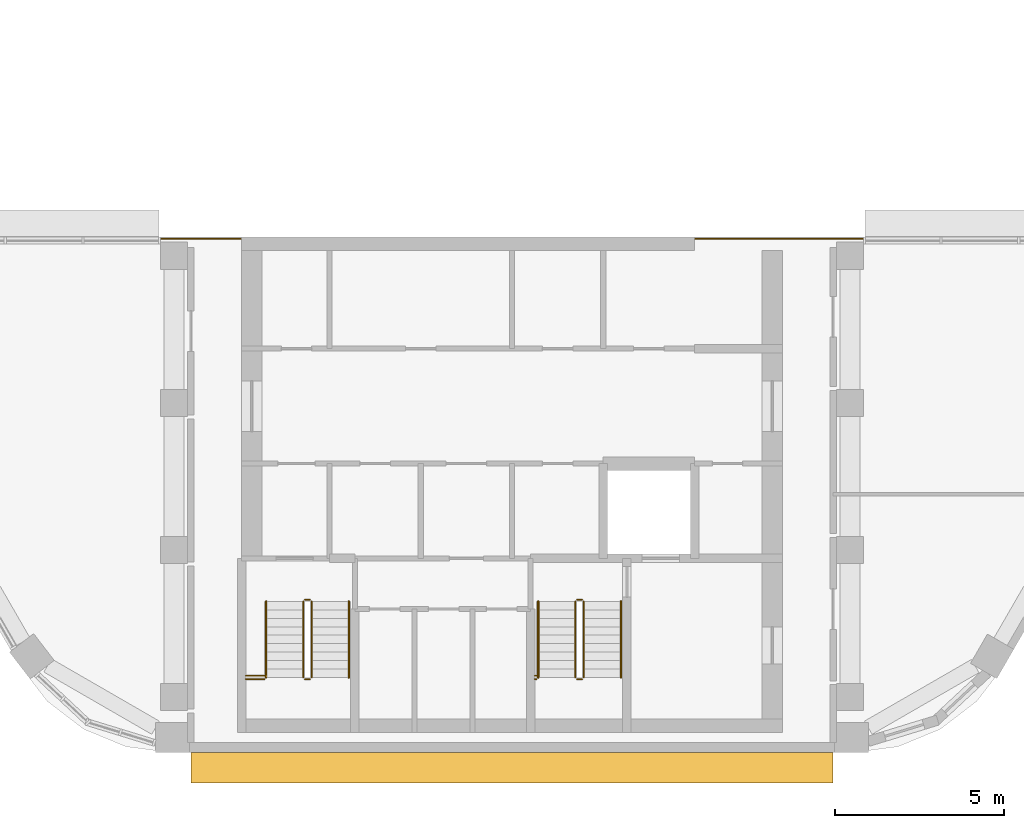
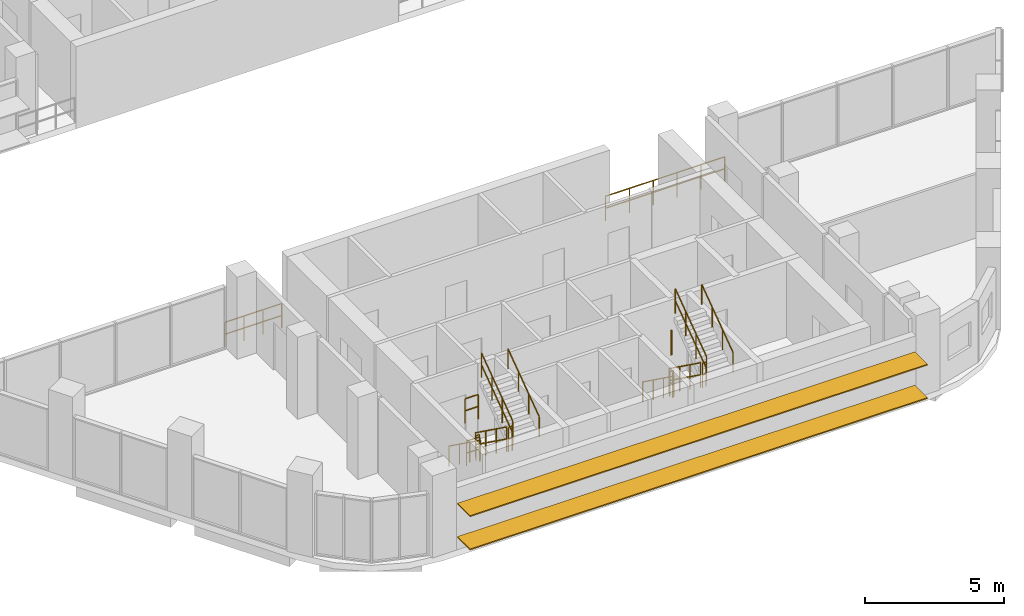
# One storey, part 12 of 14: 18 railings, 2 shading devices.
"""IFC4 building model written with IfcOpenShell, lengths in metres."""

from ifc_helpers import new_model, si_unit, direction, frame, origin, origin_2d, place, context, subcontext, project, spatial, rectangle, circle, extrude, material, material_profile, profile_set, type_object, element, save


model = new_model("IFC4")

# Units and contexts
model_context = context("Model", 3, precision=1e-05, world=origin(), true_north=direction((0.0, 1.0)))
body_context = subcontext(model_context, "Body", "Model", "MODEL_VIEW")
ifc_project = project(units=[si_unit("LENGTHUNIT", "METRE"), si_unit("AREAUNIT", "SQUARE_METRE"), si_unit("VOLUMEUNIT", "CUBIC_METRE"), si_unit("PLANEANGLEUNIT", "RADIAN"), si_unit("MASSUNIT", "GRAM", prefix="KILO")], contexts=[model_context])

# Site, building, storey
site_placement = place(None, origin())
site = spatial("IfcSite", under=ifc_project, at=site_placement, CompositionType="ELEMENT")
building_placement = place(site_placement, origin())
building = spatial("IfcBuilding", under=site, at=building_placement, Name="Nakaniwa Court", CompositionType="ELEMENT")
storey_placement = place(building_placement, frame((0.0, 0.0, 279.60009765625)))
storey = spatial("IfcBuildingStorey", under=building, at=storey_placement, Name="C03", CompositionType="ELEMENT", Elevation=279.60009765625)

# Shading devices
ifc_material_1 = material(Name="Perforated charcoal ceramic louvre blade")
ifc_material_profile = material_profile(ifc_material_1, rectangle(XDim=0.89990234375, YDim=0.050048828125, at=origin_2d()), Name="Perforated ceramic louvre blade")
ifc_profile_set = profile_set([ifc_material_profile], Name="Perforated charcoal ceramic louvre blade")
shading_device_type = type_object("IfcShadingDeviceType", Name="Perforated ceramic louvre blade", PredefinedType="JALOUSIE", material=ifc_profile_set)
for number, where, z_axis, x_axis, name in (
    (1, (70.500732421875, 56.89990234375, 0.5498046875), (1.0, 0.0, 0.0), (0.0, 1.0, 0.0), "C03 perforated ceramic louvre blade w10 1"),
    (2, (70.500732421875, 56.89990234375, 2.014892578125), (1.0, 0.0, 0.0), (0.0, 1.0, 0.0), "C03 perforated ceramic louvre blade w10 2"),
):
    element("IfcShadingDevice", number, at=place(storey_placement, frame(where, z_axis=z_axis, x_axis=x_axis)), inside=storey, type_object=shading_device_type, Name=name, PredefinedType="JALOUSIE", context=body_context, shape_type="SweptSolid", body=[
        extrude(rectangle(XDim=0.89990234375, YDim=0.050048828125, at=origin_2d()), origin(), (0.0, 0.0, 1.0), 18.99267578125),
    ])

# Railings
ifc_material_2 = material(Name="Black powder coated steel guard", Category="steel")
railing_type_1 = type_object("IfcRailingType", Name="Stair guard 1100", PredefinedType="GUARDRAIL", material=ifc_material_2)
railing_1_placement = place(storey_placement, frame((73.824951171875, 61.824951171875, 0.179931640625)))
element("IfcRailing", 3, at=railing_1_placement, inside=storey, type_object=railing_type_1, Name="C03 ST3 stair guard 1", PredefinedType="GUARDRAIL", context=body_context, shape_type="SweptSolid", body=[
    extrude(circle(Radius=0.02392578125, at=origin_2d()), frame((0.0, 0.0, 1.076171875), z_axis=(0.0, -0.811556054185, 0.58427456809), x_axis=(1.0, 0.0, 0.0)), (0.0, 0.0, 1.0), 2.7724609375),
    extrude(circle(Radius=0.02392578125, at=origin_2d()), frame((0.0, 0.0, 0.550048828125), z_axis=(0.0, -0.811556054185, 0.58427456809), x_axis=(1.0, 0.0, 0.0)), (0.0, 0.0, 1.0), 2.7724609375),
    extrude(circle(Radius=0.02099609375, at=origin_2d()), origin(), (0.0, 0.0, 1.0), 1.052001953125),
    extrude(circle(Radius=0.02099609375, at=origin_2d()), frame((0.0, -0.75, 0.5400390625)), (0.0, 0.0, 1.0), 1.052001953125),
    extrude(circle(Radius=0.02099609375, at=origin_2d()), frame((0.0, -1.5, 1.079833984375)), (0.0, 0.0, 1.0), 1.052001953125),
    extrude(circle(Radius=0.02099609375, at=origin_2d()), frame((0.0, -2.25, 1.619873046875)), (0.0, 0.0, 1.0), 1.052001953125),
])
railing_2_placement = place(storey_placement, frame((73.875, 59.52490234375, 1.7998046875)))
element("IfcRailing", 4, at=railing_2_placement, inside=storey, type_object=railing_type_1, Name="C03 ST3 stair guard 2", PredefinedType="GUARDRAIL", context=body_context, shape_type="SweptSolid", body=[
    extrude(circle(Radius=0.02392578125, at=origin_2d()), frame((0.0, 0.0, 1.076171875), z_axis=(1.0, 0.0, 0.0), x_axis=(0.0, 1.0, 0.0)), (0.0, 0.0, 1.0), 0.14990234375),
    extrude(circle(Radius=0.02392578125, at=origin_2d()), frame((0.0, 0.0, 0.550048828125), z_axis=(1.0, 0.0, 0.0), x_axis=(0.0, 1.0, 0.0)), (0.0, 0.0, 1.0), 0.14990234375),
    extrude(circle(Radius=0.02099609375, at=origin_2d()), origin(), (0.0, 0.0, 1.0), 1.052001953125),
    extrude(circle(Radius=0.02099609375, at=origin_2d()), frame((0.14990234375, 0.0, 0.0)), (0.0, 0.0, 1.0), 1.052001953125),
])
railing_3_placement = place(storey_placement, frame((74.074951171875, 59.574951171875, 1.97998046875)))
element("IfcRailing", 5, at=railing_3_placement, inside=storey, type_object=railing_type_1, Name="C03 ST3 stair guard 3", PredefinedType="GUARDRAIL", context=body_context, shape_type="SweptSolid", body=[
    extrude(circle(Radius=0.02392578125, at=origin_2d()), frame((0.0, 0.0, 1.076171875), z_axis=(0.0, 0.811556054185, 0.58427456809), x_axis=(-1.0, 0.0, 0.0)), (0.0, 0.0, 1.0), 2.7724609375),
    extrude(circle(Radius=0.02392578125, at=origin_2d()), frame((0.0, 0.0, 0.550048828125), z_axis=(0.0, 0.811556054185, 0.58427456809), x_axis=(-1.0, 0.0, 0.0)), (0.0, 0.0, 1.0), 2.7724609375),
    extrude(circle(Radius=0.02099609375, at=origin_2d()), origin(), (0.0, 0.0, 1.0), 1.052001953125),
    extrude(circle(Radius=0.02099609375, at=origin_2d()), frame((0.0, 0.75, 0.5400390625)), (0.0, 0.0, 1.0), 1.052001953125),
    extrude(circle(Radius=0.02099609375, at=origin_2d()), frame((0.0, 1.5, 1.079833984375)), (0.0, 0.0, 1.0), 1.052001953125),
    extrude(circle(Radius=0.02099609375, at=origin_2d()), frame((0.0, 2.25, 1.619873046875)), (0.0, 0.0, 1.0), 1.052001953125),
])
railing_4_placement = place(storey_placement, frame((73.875, 61.875, 0.0)))
element("IfcRailing", 6, at=railing_4_placement, inside=storey, type_object=railing_type_1, Name="C03 ST3 stair guard 4", PredefinedType="GUARDRAIL", context=body_context, shape_type="SweptSolid", body=[
    extrude(circle(Radius=0.02392578125, at=origin_2d()), frame((0.0, 0.0, 1.076171875), z_axis=(1.0, 0.0, 0.0), x_axis=(0.0, 1.0, 0.0)), (0.0, 0.0, 1.0), 0.14990234375),
    extrude(circle(Radius=0.02392578125, at=origin_2d()), frame((0.0, 0.0, 0.550048828125), z_axis=(1.0, 0.0, 0.0), x_axis=(0.0, 1.0, 0.0)), (0.0, 0.0, 1.0), 0.14990234375),
    extrude(circle(Radius=0.02099609375, at=origin_2d()), origin(), (0.0, 0.0, 1.0), 1.052001953125),
    extrude(circle(Radius=0.02099609375, at=origin_2d()), frame((0.14990234375, 0.0, 0.0)), (0.0, 0.0, 1.0), 1.052001953125),
])
for number, where, name in (
    (7, (72.125, 59.52490234375, 1.7998046875), "C03 ST3 landing side guard 1W"),
    (8, (72.125, 59.625, 3.599853515625), "C03 ST3 floor edge guard 1W"),
):
    element("IfcRailing", number, at=place(storey_placement, frame(where)), inside=storey, type_object=railing_type_1, Name=name, PredefinedType="GUARDRAIL", context=body_context, shape_type="SweptSolid", body=[
        extrude(circle(Radius=0.02392578125, at=origin_2d()), frame((0.0, 0.0, 1.076171875), z_axis=(1.0, 0.0, 0.0), x_axis=(0.0, 1.0, 0.0)), (0.0, 0.0, 1.0), 0.550048828125),
        extrude(circle(Radius=0.02392578125, at=origin_2d()), frame((0.0, 0.0, 0.550048828125), z_axis=(1.0, 0.0, 0.0), x_axis=(0.0, 1.0, 0.0)), (0.0, 0.0, 1.0), 0.550048828125),
        extrude(circle(Radius=0.02099609375, at=origin_2d()), origin(), (0.0, 0.0, 1.0), 1.052001953125),
        extrude(circle(Radius=0.02099609375, at=origin_2d()), frame((0.550048828125, 0.0, 0.0)), (0.0, 0.0, 1.0), 1.052001953125),
    ])
railing_5_placement = place(storey_placement, frame((81.875, 61.824951171875, 0.179931640625)))
element("IfcRailing", 9, at=railing_5_placement, inside=storey, type_object=railing_type_1, Name="C03 ST4 stair guard 1", PredefinedType="GUARDRAIL", context=body_context, shape_type="SweptSolid", body=[
    extrude(circle(Radius=0.02392578125, at=origin_2d()), frame((0.0, 0.0, 1.076171875), z_axis=(0.0, -0.811556054185, 0.58427456809), x_axis=(1.0, 0.0, 0.0)), (0.0, 0.0, 1.0), 2.7724609375),
    extrude(circle(Radius=0.02392578125, at=origin_2d()), frame((0.0, 0.0, 0.550048828125), z_axis=(0.0, -0.811556054185, 0.58427456809), x_axis=(1.0, 0.0, 0.0)), (0.0, 0.0, 1.0), 2.7724609375),
    extrude(circle(Radius=0.02099609375, at=origin_2d()), origin(), (0.0, 0.0, 1.0), 1.052001953125),
    extrude(circle(Radius=0.02099609375, at=origin_2d()), frame((0.0, -0.75, 0.5400390625)), (0.0, 0.0, 1.0), 1.052001953125),
    extrude(circle(Radius=0.02099609375, at=origin_2d()), frame((0.0, -1.5, 1.079833984375)), (0.0, 0.0, 1.0), 1.052001953125),
    extrude(circle(Radius=0.02099609375, at=origin_2d()), frame((0.0, -2.25, 1.619873046875)), (0.0, 0.0, 1.0), 1.052001953125),
])
railing_6_placement = place(storey_placement, frame((81.925048828125, 59.52490234375, 1.7998046875)))
element("IfcRailing", 10, at=railing_6_placement, inside=storey, type_object=railing_type_1, Name="C03 ST4 stair guard 2", PredefinedType="GUARDRAIL", context=body_context, shape_type="SweptSolid", body=[
    extrude(circle(Radius=0.02392578125, at=origin_2d()), frame((0.0, 0.0, 1.076171875), z_axis=(1.0, 0.0, 0.0), x_axis=(0.0, 1.0, 0.0)), (0.0, 0.0, 1.0), 0.14990234375),
    extrude(circle(Radius=0.02392578125, at=origin_2d()), frame((0.0, 0.0, 0.550048828125), z_axis=(1.0, 0.0, 0.0), x_axis=(0.0, 1.0, 0.0)), (0.0, 0.0, 1.0), 0.14990234375),
    extrude(circle(Radius=0.02099609375, at=origin_2d()), origin(), (0.0, 0.0, 1.0), 1.052001953125),
    extrude(circle(Radius=0.02099609375, at=origin_2d()), frame((0.14990234375, 0.0, 0.0)), (0.0, 0.0, 1.0), 1.052001953125),
])
railing_7_placement = place(storey_placement, frame((82.125, 59.574951171875, 1.97998046875)))
element("IfcRailing", 11, at=railing_7_placement, inside=storey, type_object=railing_type_1, Name="C03 ST4 stair guard 3", PredefinedType="GUARDRAIL", context=body_context, shape_type="SweptSolid", body=[
    extrude(circle(Radius=0.02392578125, at=origin_2d()), frame((0.0, 0.0, 1.076171875), z_axis=(0.0, 0.811556054185, 0.58427456809), x_axis=(-1.0, 0.0, 0.0)), (0.0, 0.0, 1.0), 2.7724609375),
    extrude(circle(Radius=0.02392578125, at=origin_2d()), frame((0.0, 0.0, 0.550048828125), z_axis=(0.0, 0.811556054185, 0.58427456809), x_axis=(-1.0, 0.0, 0.0)), (0.0, 0.0, 1.0), 2.7724609375),
    extrude(circle(Radius=0.02099609375, at=origin_2d()), origin(), (0.0, 0.0, 1.0), 1.052001953125),
    extrude(circle(Radius=0.02099609375, at=origin_2d()), frame((0.0, 0.75, 0.5400390625)), (0.0, 0.0, 1.0), 1.052001953125),
    extrude(circle(Radius=0.02099609375, at=origin_2d()), frame((0.0, 1.5, 1.079833984375)), (0.0, 0.0, 1.0), 1.052001953125),
    extrude(circle(Radius=0.02099609375, at=origin_2d()), frame((0.0, 2.25, 1.619873046875)), (0.0, 0.0, 1.0), 1.052001953125),
])
railing_8_placement = place(storey_placement, frame((81.925048828125, 61.875, 0.0)))
element("IfcRailing", 12, at=railing_8_placement, inside=storey, type_object=railing_type_1, Name="C03 ST4 stair guard 4", PredefinedType="GUARDRAIL", context=body_context, shape_type="SweptSolid", body=[
    extrude(circle(Radius=0.02392578125, at=origin_2d()), frame((0.0, 0.0, 1.076171875), z_axis=(1.0, 0.0, 0.0), x_axis=(0.0, 1.0, 0.0)), (0.0, 0.0, 1.0), 0.14990234375),
    extrude(circle(Radius=0.02392578125, at=origin_2d()), frame((0.0, 0.0, 0.550048828125), z_axis=(1.0, 0.0, 0.0), x_axis=(0.0, 1.0, 0.0)), (0.0, 0.0, 1.0), 0.14990234375),
    extrude(circle(Radius=0.02099609375, at=origin_2d()), origin(), (0.0, 0.0, 1.0), 1.052001953125),
    extrude(circle(Radius=0.02099609375, at=origin_2d()), frame((0.14990234375, 0.0, 0.0)), (0.0, 0.0, 1.0), 1.052001953125),
])
for number, where, name in (
    (13, (80.675048828125, 59.52490234375, 1.7998046875), "C03 ST4 landing side guard 1W"),
    (14, (80.675048828125, 59.625, 3.599853515625), "C03 ST4 floor edge guard 1W"),
):
    element("IfcRailing", number, at=place(storey_placement, frame(where)), inside=storey, type_object=railing_type_1, Name=name, PredefinedType="GUARDRAIL", context=body_context, shape_type="SweptSolid", body=[
        extrude(circle(Radius=0.02392578125, at=origin_2d()), frame((0.0, 0.0, 1.076171875), z_axis=(1.0, 0.0, 0.0), x_axis=(0.0, 1.0, 0.0)), (0.0, 0.0, 1.0), 0.050048828125),
        extrude(circle(Radius=0.02392578125, at=origin_2d()), frame((0.0, 0.0, 0.550048828125), z_axis=(1.0, 0.0, 0.0), x_axis=(0.0, 1.0, 0.0)), (0.0, 0.0, 1.0), 0.050048828125),
        extrude(circle(Radius=0.02099609375, at=origin_2d()), origin(), (0.0, 0.0, 1.0), 1.052001953125),
        extrude(circle(Radius=0.02099609375, at=origin_2d()), frame((0.050048828125, 0.0, 0.0)), (0.0, 0.0, 1.0), 1.052001953125),
    ])
railing_9_placement = place(storey_placement, frame((69.625244140625, 72.550048828125, 0.0)))
element("IfcRailing", 15, at=railing_9_placement, inside=storey, type_object=railing_type_1, Name="GUARD GD-C03-165", PredefinedType="GUARDRAIL", context=body_context, shape_type="SweptSolid", body=[
    extrude(circle(Radius=0.02392578125, at=origin_2d()), frame((0.0, 0.0, 1.076171875), z_axis=(1.0, 0.0, 0.0), x_axis=(0.0, 1.0, 0.0)), (0.0, 0.0, 1.0), 2.34912109375),
    extrude(circle(Radius=0.02392578125, at=origin_2d()), frame((0.0, 0.0, 0.550048828125), z_axis=(1.0, 0.0, 0.0), x_axis=(0.0, 1.0, 0.0)), (0.0, 0.0, 1.0), 2.34912109375),
    extrude(circle(Radius=0.02099609375, at=origin_2d()), origin(), (0.0, 0.0, 1.0), 1.052001953125),
    extrude(circle(Radius=0.02099609375, at=origin_2d()), frame((0.782958984375, 0.0, 0.0)), (0.0, 0.0, 1.0), 1.052001953125),
    extrude(circle(Radius=0.02099609375, at=origin_2d()), frame((1.566162109375, 0.0, 0.0)), (0.0, 0.0, 1.0), 1.052001953125),
    extrude(circle(Radius=0.02099609375, at=origin_2d()), frame((2.34912109375, 0.0, 0.0)), (0.0, 0.0, 1.0), 1.052001953125),
])
railing_10_placement = place(storey_placement, frame((85.419189453125, 72.550048828125, 0.0)))
element("IfcRailing", 16, at=railing_10_placement, inside=storey, type_object=railing_type_1, Name="GUARD GD-C03-166", PredefinedType="GUARDRAIL", context=body_context, shape_type="SweptSolid", body=[
    extrude(circle(Radius=0.02392578125, at=origin_2d()), frame((0.0, 0.0, 1.076171875), z_axis=(1.0, 0.0, 0.0), x_axis=(0.0, 1.0, 0.0)), (0.0, 0.0, 1.0), 4.95556640625),
    extrude(circle(Radius=0.02392578125, at=origin_2d()), frame((0.0, 0.0, 0.550048828125), z_axis=(1.0, 0.0, 0.0), x_axis=(0.0, 1.0, 0.0)), (0.0, 0.0, 1.0), 4.95556640625),
    extrude(circle(Radius=0.02099609375, at=origin_2d()), origin(), (0.0, 0.0, 1.0), 1.052001953125),
    extrude(circle(Radius=0.02099609375, at=origin_2d()), frame((0.9912109375, 0.0, 0.0)), (0.0, 0.0, 1.0), 1.052001953125),
    extrude(circle(Radius=0.02099609375, at=origin_2d()), frame((1.982177734375, 0.0, 0.0)), (0.0, 0.0, 1.0), 1.052001953125),
    extrude(circle(Radius=0.02099609375, at=origin_2d()), frame((2.973388671875, 0.0, 0.0)), (0.0, 0.0, 1.0), 1.052001953125),
    extrude(circle(Radius=0.02099609375, at=origin_2d()), frame((3.96435546875, 0.0, 0.0)), (0.0, 0.0, 1.0), 1.052001953125),
    extrude(circle(Radius=0.02099609375, at=origin_2d()), frame((4.95556640625, 0.0, 0.0)), (0.0, 0.0, 1.0), 1.052001953125),
])
ifc_material_3 = material(Name="Black powder coated steel handrail", Category="steel")
railing_type_2 = type_object("IfcRailingType", Name="Stair handrail 900", PredefinedType="HANDRAIL", material=ifc_material_3)
railing_11_placement = place(storey_placement, frame((72.72509765625, 61.824951171875, 0.179931640625)))
element("IfcRailing", 17, at=railing_11_placement, inside=storey, type_object=railing_type_2, Name="C03 ST3 stair handrail 1", PredefinedType="HANDRAIL", context=body_context, shape_type="SweptSolid", body=[
    extrude(circle(Radius=0.02392578125, at=origin_2d()), frame((0.0, 0.0, 0.8759765625), z_axis=(0.0, -0.811556054185, 0.58427456809), x_axis=(1.0, 0.0, 0.0)), (0.0, 0.0, 1.0), 2.7724609375),
    extrude(circle(Radius=0.02099609375, at=origin_2d()), origin(), (0.0, 0.0, 1.0), 0.851806640625),
    extrude(circle(Radius=0.02099609375, at=origin_2d()), frame((0.0, -0.75, 0.5400390625)), (0.0, 0.0, 1.0), 0.851806640625),
    extrude(circle(Radius=0.02099609375, at=origin_2d()), frame((0.0, -1.5, 1.079833984375)), (0.0, 0.0, 1.0), 0.851806640625),
    extrude(circle(Radius=0.02099609375, at=origin_2d()), frame((0.0, -2.25, 1.619873046875)), (0.0, 0.0, 1.0), 0.851806640625),
])
railing_12_placement = place(storey_placement, frame((75.175048828125, 59.574951171875, 1.97998046875)))
element("IfcRailing", 18, at=railing_12_placement, inside=storey, type_object=railing_type_2, Name="C03 ST3 stair handrail 2", PredefinedType="HANDRAIL", context=body_context, shape_type="SweptSolid", body=[
    extrude(circle(Radius=0.02392578125, at=origin_2d()), frame((0.0, 0.0, 0.8759765625), z_axis=(0.0, 0.811556054185, 0.58427456809), x_axis=(-1.0, 0.0, 0.0)), (0.0, 0.0, 1.0), 2.7724609375),
    extrude(circle(Radius=0.02099609375, at=origin_2d()), origin(), (0.0, 0.0, 1.0), 0.851806640625),
    extrude(circle(Radius=0.02099609375, at=origin_2d()), frame((0.0, 0.75, 0.5400390625)), (0.0, 0.0, 1.0), 0.851806640625),
    extrude(circle(Radius=0.02099609375, at=origin_2d()), frame((0.0, 1.5, 1.079833984375)), (0.0, 0.0, 1.0), 0.851806640625),
    extrude(circle(Radius=0.02099609375, at=origin_2d()), frame((0.0, 2.25, 1.619873046875)), (0.0, 0.0, 1.0), 0.851806640625),
])
railing_13_placement = place(storey_placement, frame((80.77490234375, 61.824951171875, 0.179931640625)))
element("IfcRailing", 19, at=railing_13_placement, inside=storey, type_object=railing_type_2, Name="C03 ST4 stair handrail 1", PredefinedType="HANDRAIL", context=body_context, shape_type="SweptSolid", body=[
    extrude(circle(Radius=0.02392578125, at=origin_2d()), frame((0.0, 0.0, 0.8759765625), z_axis=(0.0, -0.811556054185, 0.58427456809), x_axis=(1.0, 0.0, 0.0)), (0.0, 0.0, 1.0), 2.7724609375),
    extrude(circle(Radius=0.02099609375, at=origin_2d()), origin(), (0.0, 0.0, 1.0), 0.851806640625),
    extrude(circle(Radius=0.02099609375, at=origin_2d()), frame((0.0, -0.75, 0.5400390625)), (0.0, 0.0, 1.0), 0.851806640625),
    extrude(circle(Radius=0.02099609375, at=origin_2d()), frame((0.0, -1.5, 1.079833984375)), (0.0, 0.0, 1.0), 0.851806640625),
    extrude(circle(Radius=0.02099609375, at=origin_2d()), frame((0.0, -2.25, 1.619873046875)), (0.0, 0.0, 1.0), 0.851806640625),
])
railing_14_placement = place(storey_placement, frame((83.22509765625, 59.574951171875, 1.97998046875)))
element("IfcRailing", 20, at=railing_14_placement, inside=storey, type_object=railing_type_2, Name="C03 ST4 stair handrail 2", PredefinedType="HANDRAIL", context=body_context, shape_type="SweptSolid", body=[
    extrude(circle(Radius=0.02392578125, at=origin_2d()), frame((0.0, 0.0, 0.8759765625), z_axis=(0.0, 0.811556054185, 0.58427456809), x_axis=(-1.0, 0.0, 0.0)), (0.0, 0.0, 1.0), 2.7724609375),
    extrude(circle(Radius=0.02099609375, at=origin_2d()), origin(), (0.0, 0.0, 1.0), 0.851806640625),
    extrude(circle(Radius=0.02099609375, at=origin_2d()), frame((0.0, 0.75, 0.5400390625)), (0.0, 0.0, 1.0), 0.851806640625),
    extrude(circle(Radius=0.02099609375, at=origin_2d()), frame((0.0, 1.5, 1.079833984375)), (0.0, 0.0, 1.0), 0.851806640625),
    extrude(circle(Radius=0.02099609375, at=origin_2d()), frame((0.0, 2.25, 1.619873046875)), (0.0, 0.0, 1.0), 0.851806640625),
])

save(model, "model.ifc")
